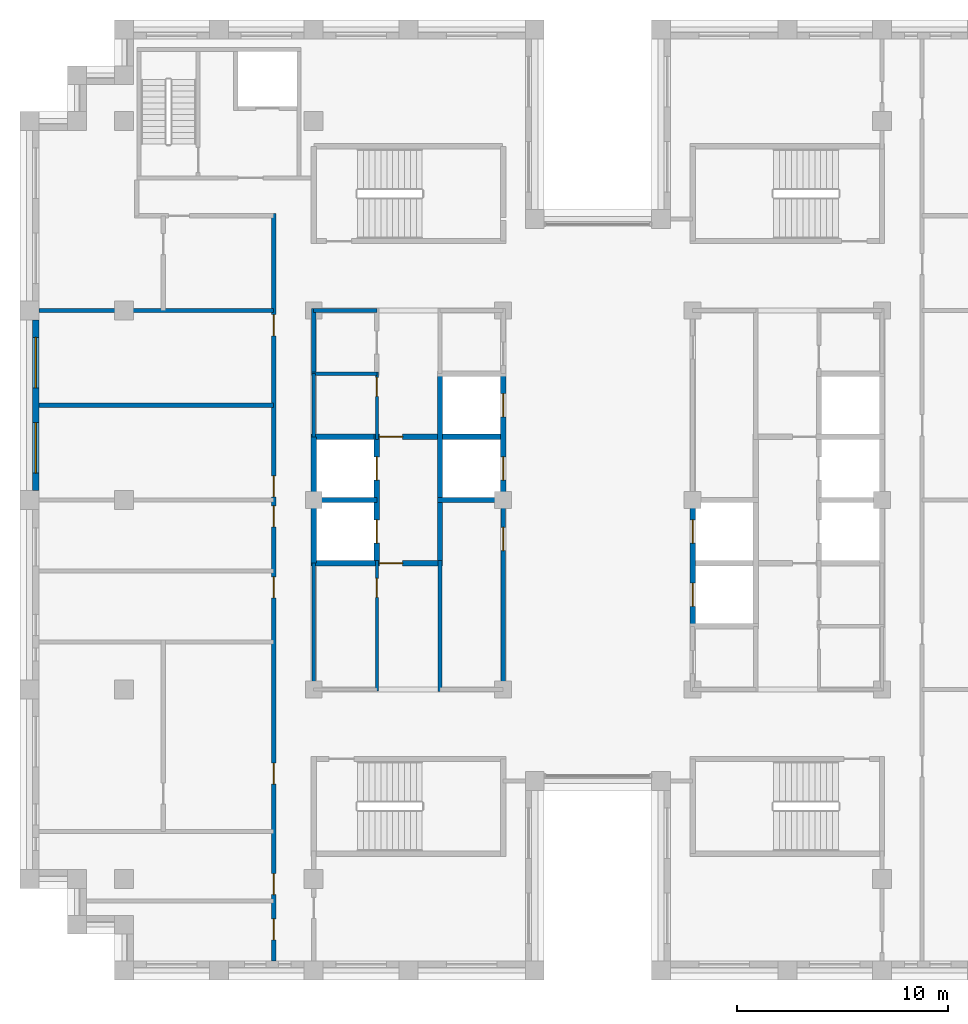
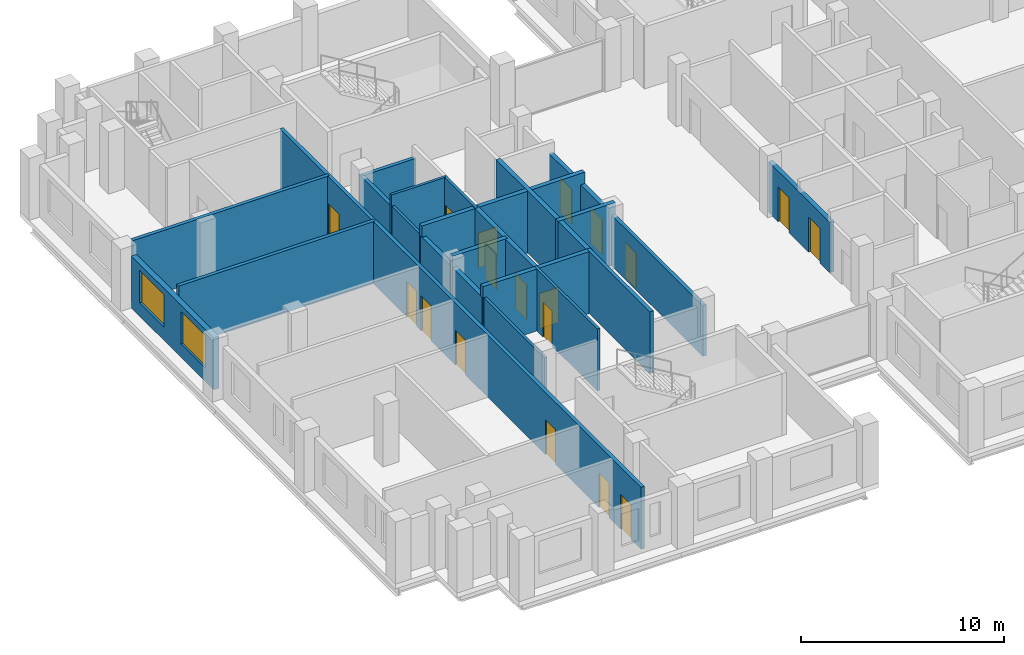
# One storey, part 7 of 13: 22 walls, 18 doors, 2 windows, 20 openings.
"""IFC4 building model written with IfcOpenShell, lengths in metres."""

from ifc_helpers import new_model, si_unit, direction, frame, frame_2d, origin, place, context, subcontext, project, spatial, rectangle, extrude, material, layer, layer_set, type_object, element, fill, save


model = new_model("IFC4")

# Units and contexts
model_context = context("Model", 3, precision=1e-05, world=origin(), true_north=direction((0.0, 1.0)))
body_context = subcontext(model_context, "Body", "Model", "MODEL_VIEW")
ifc_project = project(units=[si_unit("LENGTHUNIT", "METRE"), si_unit("AREAUNIT", "SQUARE_METRE"), si_unit("VOLUMEUNIT", "CUBIC_METRE"), si_unit("PLANEANGLEUNIT", "RADIAN"), si_unit("MASSUNIT", "GRAM", prefix="KILO")], contexts=[model_context])

# Site, building, storey
site_placement = place(None, origin())
site = spatial("IfcSite", under=ifc_project, at=site_placement, CompositionType="ELEMENT")
building_placement = place(site_placement, origin())
building = spatial("IfcBuilding", under=site, at=building_placement, Name="Corbelhall Arena Tower", CompositionType="ELEMENT")
storey_placement = place(building_placement, frame((0.0, 0.0, 278.0)))
storey = spatial("IfcBuildingStorey", under=building, at=storey_placement, Name="L60", CompositionType="ELEMENT", Elevation=278.0)

# Wall, openings, windows
ifc_material_1 = material(Name="Precast concrete C40/50 with granite facing", Category="masonry")
ifc_layer_1 = layer(ifc_material_1, 0.300048828125)
ifc_layer_set_1 = layer_set([ifc_layer_1], Name="EV-IW1 Infill panel 300")
wall_type_1 = type_object("IfcWallType", Name="EV-IW1 Infill panel 300", PredefinedType="SOLIDWALL", material=ifc_layer_set_1)
wall_1_placement = place(storey_placement, frame((-26.699951171875, 8.550048828125, 0.0), z_axis=(0.0, 0.0, 1.0), x_axis=(0.0, -1.0, 0.0)))
wall_1 = element("IfcWall", 1, at=wall_1_placement, inside=storey, type_object=wall_type_1, Name="Infill panel IW1", PredefinedType="SOLIDWALL", context=body_context, shape_type="SweptSolid", body=[
    extrude(rectangle(XDim=8.10009765625, YDim=0.300048828125, at=frame_2d((4.050048828125, 0.0))), origin(), (0.0, 0.0, 1.0), 3.1201171875),
])
opening_1_placement = place(wall_1_placement, frame((0.824951171875, 0.0, 0.800048828125)))
opening_1 = element("IfcOpeningElement", 2, at=opening_1_placement, cuts=wall_1, Name="Opening WN1", PredefinedType="OPENING", context=body_context, shape_type="SweptSolid", body=[
    extrude(rectangle(XDim=2.39990234375, YDim=1.949951171875, at=frame_2d((1.199951171875, 0.97509765625))), frame((0.0, 0.14990234375, 0.0), z_axis=(0.0, -1.0, 0.0), x_axis=(1.0, 0.0, 0.0)), (0.0, 0.0, 1.0), 0.300048828125),
])
opening_2_placement = place(wall_1_placement, frame((4.875, 0.0, 0.800048828125)))
opening_2 = element("IfcOpeningElement", 3, at=opening_2_placement, cuts=wall_1, Name="Opening WN1", PredefinedType="OPENING", context=body_context, shape_type="SweptSolid", body=[
    extrude(rectangle(XDim=2.39990234375, YDim=1.949951171875, at=frame_2d((1.199951171875, 0.97509765625))), frame((0.0, 0.14990234375, 0.0), z_axis=(0.0, -1.0, 0.0), x_axis=(1.0, 0.0, 0.0)), (0.0, 0.0, 1.0), 0.300048828125),
])
ifc_material_2 = material(Name="Aluminium black anodised", Category="aluminium")
window_type = type_object("IfcWindowType", Name="EV-WN1 Office window", PartitioningType="SINGLE_PANEL", PredefinedType="WINDOW", material=ifc_material_2)
window_1_placement = place(opening_1_placement, origin())
window_1 = element("IfcWindow", 4, at=window_1_placement, inside=storey, type_object=window_type, Name="Window WN1", OverallHeight=1.949951171875, OverallWidth=2.39990234375, PartitioningType="SINGLE_PANEL", PredefinedType="WINDOW", context=body_context, shape_type="SweptSolid", body=[
    extrude(rectangle(XDim=2.39990234375, YDim=1.949951171875, at=frame_2d((1.199951171875, 0.97509765625))), frame((0.0, 0.030029296875, 0.0), z_axis=(0.0, -1.0, 0.0), x_axis=(1.0, 0.0, 0.0)), (0.0, 0.0, 1.0), 0.06005859375),
])
fill(opening_1, window_1)
window_2_placement = place(opening_2_placement, origin())
window_2 = element("IfcWindow", 5, at=window_2_placement, inside=storey, type_object=window_type, Name="Window WN1", OverallHeight=1.949951171875, OverallWidth=2.39990234375, PartitioningType="SINGLE_PANEL", PredefinedType="WINDOW", context=body_context, shape_type="SweptSolid", body=[
    extrude(rectangle(XDim=2.39990234375, YDim=1.949951171875, at=frame_2d((1.199951171875, 0.97509765625))), frame((0.0, 0.030029296875, 0.0), z_axis=(0.0, -1.0, 0.0), x_axis=(1.0, 0.0, 0.0)), (0.0, 0.0, 1.0), 0.06005859375),
])
fill(opening_2, window_2)

# Walls
ifc_material_3 = material(Name="Gypsum board on steel stud, acoustic", Category="steel")
ifc_layer_2 = layer(ifc_material_3, 0.199951171875)
ifc_layer_set_2 = layer_set([ifc_layer_2], Name="IN-W-DM200")
wall_type_2 = type_object("IfcWallType", Name="IN-W-DM200", PredefinedType="PARTITIONING", material=ifc_layer_set_2)
for number, where, z_axis, x_axis, name in (
    (6, (-26.550048828125, 4.5, 0.0), (0.0, 0.0, 1.0), (1.0, 0.0, 0.0), "Partition 004"),
    (7, (-26.550048828125, 9.0, 0.0), (0.0, 0.0, 1.0), (1.0, 0.0, 0.0), "Partition 005"),
):
    element("IfcWall", number, at=place(storey_placement, frame(where, z_axis=z_axis, x_axis=x_axis)), inside=storey, type_object=wall_type_2, Name=name, PredefinedType="PARTITIONING", context=body_context, shape_type="SweptSolid", body=[
        extrude(rectangle(XDim=11.150146484375, YDim=0.199951171875, at=frame_2d((5.5751953125, 0.0))), origin(), (0.0, 0.0, 1.0), 3.719970703125),
    ])

# Wall, openings, doors
wall_2_placement = place(storey_placement, frame((-15.39990234375, -21.89990234375, 0.0), z_axis=(0.0, 0.0, 1.0), x_axis=(0.0, 1.0, 0.0)))
wall_2 = element("IfcWall", 8, at=wall_2_placement, inside=storey, type_object=wall_type_2, Name="Partition 011", PredefinedType="PARTITIONING", context=body_context, shape_type="SweptSolid", body=[
    extrude(rectangle(XDim=35.5, YDim=0.199951171875, at=frame_2d((17.75, 0.0))), origin(), (0.0, 0.0, 1.0), 3.719970703125),
])
opening_3_placement = place(wall_2_placement, frame((22.050048828125, 0.0, 0.0)))
opening_3 = element("IfcOpeningElement", 9, at=opening_3_placement, cuts=wall_2, Name="Opening 19022", PredefinedType="OPENING", context=body_context, shape_type="SweptSolid", body=[
    extrude(rectangle(XDim=1.0, YDim=2.10009765625, at=frame_2d((0.5, 1.050048828125))), frame((0.0, 0.10009765625, 0.0), z_axis=(0.0, -1.0, 0.0), x_axis=(1.0, 0.0, 0.0)), (0.0, 0.0, 1.0), 0.199951171875),
])
opening_4_placement = place(wall_2_placement, frame((29.699951171875, 0.0, 0.0)))
opening_4 = element("IfcOpeningElement", 10, at=opening_4_placement, cuts=wall_2, Name="Opening 19023", PredefinedType="OPENING", context=body_context, shape_type="SweptSolid", body=[
    extrude(rectangle(XDim=1.0, YDim=2.10009765625, at=frame_2d((0.5, 1.050048828125))), frame((0.0, 0.10009765625, 0.0), z_axis=(0.0, -1.0, 0.0), x_axis=(1.0, 0.0, 0.0)), (0.0, 0.0, 1.0), 0.199951171875),
])
opening_5_placement = place(wall_2_placement, frame((1.0, 0.0, 0.0)))
opening_5 = element("IfcOpeningElement", 11, at=opening_5_placement, cuts=wall_2, Name="Opening 19026", PredefinedType="OPENING", context=body_context, shape_type="SweptSolid", body=[
    extrude(rectangle(XDim=1.0, YDim=2.10009765625, at=frame_2d((0.5, 1.050048828125))), frame((0.0, 0.10009765625, 0.0), z_axis=(0.0, -1.0, 0.0), x_axis=(1.0, 0.0, 0.0)), (0.0, 0.0, 1.0), 0.199951171875),
])
opening_6_placement = place(wall_2_placement, frame((3.14990234375, 0.0, 0.0)))
opening_6 = element("IfcOpeningElement", 12, at=opening_6_placement, cuts=wall_2, Name="Opening 19027", PredefinedType="OPENING", context=body_context, shape_type="SweptSolid", body=[
    extrude(rectangle(XDim=1.0, YDim=2.10009765625, at=frame_2d((0.5, 1.050048828125))), frame((0.0, 0.10009765625, 0.0), z_axis=(0.0, -1.0, 0.0), x_axis=(1.0, 0.0, 0.0)), (0.0, 0.0, 1.0), 0.199951171875),
])
opening_7_placement = place(wall_2_placement, frame((8.39990234375, 0.0, 0.0)))
opening_7 = element("IfcOpeningElement", 13, at=opening_7_placement, cuts=wall_2, Name="Opening 19028", PredefinedType="OPENING", context=body_context, shape_type="SweptSolid", body=[
    extrude(rectangle(XDim=1.0, YDim=2.10009765625, at=frame_2d((0.5, 1.050048828125))), frame((0.0, 0.10009765625, 0.0), z_axis=(0.0, -1.0, 0.0), x_axis=(1.0, 0.0, 0.0)), (0.0, 0.0, 1.0), 0.199951171875),
])
opening_8_placement = place(wall_2_placement, frame((17.25, 0.0, 0.0)))
opening_8 = element("IfcOpeningElement", 14, at=opening_8_placement, cuts=wall_2, Name="Opening 19030", PredefinedType="OPENING", context=body_context, shape_type="SweptSolid", body=[
    extrude(rectangle(XDim=1.0, YDim=2.10009765625, at=frame_2d((0.5, 1.050048828125))), frame((0.0, 0.10009765625, 0.0), z_axis=(0.0, -1.0, 0.0), x_axis=(1.0, 0.0, 0.0)), (0.0, 0.0, 1.0), 0.199951171875),
])
opening_9_placement = place(wall_2_placement, frame((20.625, 0.0, 0.0)))
opening_9 = element("IfcOpeningElement", 15, at=opening_9_placement, cuts=wall_2, Name="Opening 19031", PredefinedType="OPENING", context=body_context, shape_type="SweptSolid", body=[
    extrude(rectangle(XDim=1.0, YDim=2.10009765625, at=frame_2d((0.5, 1.050048828125))), frame((0.0, 0.10009765625, 0.0), z_axis=(0.0, -1.0, 0.0), x_axis=(1.0, 0.0, 0.0)), (0.0, 0.0, 1.0), 0.199951171875),
])
ifc_material_4 = material(Name="Steel door set", Category="steel")
door_type_1 = type_object("IfcDoorType", Name="IN-D-SW100", OperationType="NOTDEFINED", PredefinedType="DOOR", material=ifc_material_4)
door_1_placement = place(opening_3_placement, origin())
door_1 = element("IfcDoor", 16, at=door_1_placement, inside=storey, type_object=door_type_1, Name="Door 022", OperationType="SINGLE_SWING_LEFT", OverallHeight=2.10009765625, OverallWidth=1.0, PredefinedType="DOOR", context=body_context, shape_type="SweptSolid", body=[
    extrude(rectangle(XDim=1.0, YDim=2.10009765625, at=frame_2d((0.5, 1.050048828125))), frame((0.0, 0.02490234375, 0.0), z_axis=(0.0, -1.0, 0.0), x_axis=(1.0, 0.0, 0.0)), (0.0, 0.0, 1.0), 0.050048828125),
])
fill(opening_3, door_1)
door_2_placement = place(opening_4_placement, origin())
door_2 = element("IfcDoor", 17, at=door_2_placement, inside=storey, type_object=door_type_1, Name="Door 023", OperationType="SINGLE_SWING_RIGHT", OverallHeight=2.10009765625, OverallWidth=1.0, PredefinedType="DOOR", context=body_context, shape_type="SweptSolid", body=[
    extrude(rectangle(XDim=1.0, YDim=2.10009765625, at=frame_2d((0.5, 1.050048828125))), frame((0.0, 0.02490234375, 0.0), z_axis=(0.0, -1.0, 0.0), x_axis=(1.0, 0.0, 0.0)), (0.0, 0.0, 1.0), 0.050048828125),
])
fill(opening_4, door_2)
door_3_placement = place(opening_5_placement, origin())
door_3 = element("IfcDoor", 18, at=door_3_placement, inside=storey, type_object=door_type_1, Name="Door 026", OperationType="SINGLE_SWING_LEFT", OverallHeight=2.10009765625, OverallWidth=1.0, PredefinedType="DOOR", context=body_context, shape_type="SweptSolid", body=[
    extrude(rectangle(XDim=1.0, YDim=2.10009765625, at=frame_2d((0.5, 1.050048828125))), frame((0.0, 0.02490234375, 0.0), z_axis=(0.0, -1.0, 0.0), x_axis=(1.0, 0.0, 0.0)), (0.0, 0.0, 1.0), 0.050048828125),
])
fill(opening_5, door_3)
door_4_placement = place(opening_6_placement, origin())
door_4 = element("IfcDoor", 19, at=door_4_placement, inside=storey, type_object=door_type_1, Name="Door 027", OperationType="SINGLE_SWING_RIGHT", OverallHeight=2.10009765625, OverallWidth=1.0, PredefinedType="DOOR", context=body_context, shape_type="SweptSolid", body=[
    extrude(rectangle(XDim=1.0, YDim=2.10009765625, at=frame_2d((0.5, 1.050048828125))), frame((0.0, 0.02490234375, 0.0), z_axis=(0.0, -1.0, 0.0), x_axis=(1.0, 0.0, 0.0)), (0.0, 0.0, 1.0), 0.050048828125),
])
fill(opening_6, door_4)
door_5_placement = place(opening_7_placement, origin())
door_5 = element("IfcDoor", 20, at=door_5_placement, inside=storey, type_object=door_type_1, Name="Door 028", OperationType="SINGLE_SWING_LEFT", OverallHeight=2.10009765625, OverallWidth=1.0, PredefinedType="DOOR", context=body_context, shape_type="SweptSolid", body=[
    extrude(rectangle(XDim=1.0, YDim=2.10009765625, at=frame_2d((0.5, 1.050048828125))), frame((0.0, 0.02490234375, 0.0), z_axis=(0.0, -1.0, 0.0), x_axis=(1.0, 0.0, 0.0)), (0.0, 0.0, 1.0), 0.050048828125),
])
fill(opening_7, door_5)
door_6_placement = place(opening_8_placement, origin())
door_6 = element("IfcDoor", 21, at=door_6_placement, inside=storey, type_object=door_type_1, Name="Door 030", OperationType="SINGLE_SWING_LEFT", OverallHeight=2.10009765625, OverallWidth=1.0, PredefinedType="DOOR", context=body_context, shape_type="SweptSolid", body=[
    extrude(rectangle(XDim=1.0, YDim=2.10009765625, at=frame_2d((0.5, 1.050048828125))), frame((0.0, 0.02490234375, 0.0), z_axis=(0.0, -1.0, 0.0), x_axis=(1.0, 0.0, 0.0)), (0.0, 0.0, 1.0), 0.050048828125),
])
fill(opening_8, door_6)
door_7_placement = place(opening_9_placement, origin())
door_7 = element("IfcDoor", 22, at=door_7_placement, inside=storey, type_object=door_type_1, Name="Door 031", OperationType="SINGLE_SWING_RIGHT", OverallHeight=2.10009765625, OverallWidth=1.0, PredefinedType="DOOR", context=body_context, shape_type="SweptSolid", body=[
    extrude(rectangle(XDim=1.0, YDim=2.10009765625, at=frame_2d((0.5, 1.050048828125))), frame((0.0, 0.02490234375, 0.0), z_axis=(0.0, -1.0, 0.0), x_axis=(1.0, 0.0, 0.0)), (0.0, 0.0, 1.0), 0.050048828125),
])
fill(opening_9, door_7)

# Walls
ifc_material_5 = material(Name="Concrete block wall", Category="concrete")
ifc_layer_3 = layer(ifc_material_5, 0.199951171875)
ifc_layer_set_3 = layer_set([ifc_layer_3], Name="IN-W-RS200")
wall_type_3 = type_object("IfcWallType", Name="IN-W-RS200", PredefinedType="SOLIDWALL", material=ifc_layer_set_3)
wall_3_placement = place(storey_placement, frame((-7.5, -9.10009765625, 0.0), z_axis=(0.0, 0.0, 1.0), x_axis=(0.0, 1.0, 0.0)))
element("IfcWall", 23, at=wall_3_placement, inside=storey, type_object=wall_type_3, Name="Partition 029", PredefinedType="SOLIDWALL", context=body_context, shape_type="SweptSolid", body=[
    extrude(rectangle(XDim=6.22509765625, YDim=0.199951171875, at=frame_2d((3.112548828125, 0.0))), origin(), (0.0, 0.0, 1.0), 3.719970703125),
])
ifc_layer_4 = layer(ifc_material_5, 0.199951171875)
ifc_layer_set_4 = layer_set([ifc_layer_4], Name="IN-W-RS200 under beam 678 mm")
wall_type_4 = type_object("IfcWallType", Name="IN-W-RS200 under beam 678 mm", PredefinedType="SOLIDWALL", material=ifc_layer_set_4)
wall_4_placement = place(storey_placement, frame((-13.5, 6.0, 0.0), z_axis=(0.0, 0.0, 1.0), x_axis=(0.0, 1.0, 0.0)))
element("IfcWall", 24, at=wall_4_placement, inside=storey, type_object=wall_type_4, Name="Partition 026", PredefinedType="SOLIDWALL", context=body_context, shape_type="SweptSolid", body=[
    extrude(rectangle(XDim=3.10009765625, YDim=0.199951171875, at=frame_2d((1.550048828125, 0.0))), origin(), (0.0, 0.0, 1.0), 3.041748046875),
])
wall_5_placement = place(storey_placement, frame((-13.5, 9.0, 0.0), z_axis=(0.0, 0.0, 1.0), x_axis=(1.0, 0.0, 0.0)))
element("IfcWall", 25, at=wall_5_placement, inside=storey, type_object=wall_type_4, Name="Partition 027", PredefinedType="SOLIDWALL", context=body_context, shape_type="SweptSolid", body=[
    extrude(rectangle(XDim=3.0, YDim=0.199951171875, at=frame_2d((1.5, 0.0))), origin(), (0.0, 0.0, 1.0), 3.041748046875),
])

# Wall, opening, door
wall_6_placement = place(storey_placement, frame((-4.5, 0.0, 0.0), z_axis=(0.0, 0.0, 1.0), x_axis=(0.0, -1.0, 0.0)))
wall_6 = element("IfcWall", 26, at=wall_6_placement, inside=storey, type_object=wall_type_4, Name="Partition 033", PredefinedType="SOLIDWALL", context=body_context, shape_type="SweptSolid", body=[
    extrude(rectangle(XDim=9.10009765625, YDim=0.199951171875, at=frame_2d((4.550048828125, 0.0))), origin(), (0.0, 0.0, 1.0), 3.041748046875),
])
opening_10_placement = place(wall_6_placement, frame((1.300048828125, 0.0, 0.0)))
opening_10 = element("IfcOpeningElement", 27, at=opening_10_placement, cuts=wall_6, Name="Opening 19001", PredefinedType="OPENING", context=body_context, shape_type="SweptSolid", body=[
    extrude(rectangle(XDim=1.10009765625, YDim=2.10009765625, at=frame_2d((0.550048828125, 1.050048828125))), frame((0.0, 0.10009765625, 0.0), z_axis=(0.0, -1.0, 0.0), x_axis=(1.0, 0.0, 0.0)), (0.0, 0.0, 1.0), 0.199951171875),
])
door_type_2 = type_object("IfcDoorType", Name="IN-D-FD110", OperationType="NOTDEFINED", PredefinedType="DOOR", material=ifc_material_4)
door_8_placement = place(opening_10_placement, origin())
door_8 = element("IfcDoor", 28, at=door_8_placement, inside=storey, type_object=door_type_2, Name="Door 001", OperationType="SINGLE_SWING_RIGHT", OverallHeight=2.10009765625, OverallWidth=1.10009765625, PredefinedType="DOOR", context=body_context, shape_type="SweptSolid", body=[
    extrude(rectangle(XDim=1.10009765625, YDim=2.10009765625, at=frame_2d((0.550048828125, 1.050048828125))), frame((0.0, 0.02490234375, 0.0), z_axis=(0.0, -1.0, 0.0), x_axis=(1.0, 0.0, 0.0)), (0.0, 0.0, 1.0), 0.050048828125),
])
fill(opening_10, door_8)

# Wall
ifc_material_6 = material(Name="Concrete C40/50", Category="concrete")
ifc_layer_5 = layer(ifc_material_6, 0.25)
ifc_layer_set_5 = layer_set([ifc_layer_5], Name="IN-W-SH250")
wall_type_5 = type_object("IfcWallType", Name="IN-W-SH250", PredefinedType="SOLIDWALL", material=ifc_layer_set_5)
wall_7_placement = place(storey_placement, frame((-13.625, 0.0, 0.0), z_axis=(0.0, 0.0, 1.0), x_axis=(1.0, 0.0, 0.0)))
element("IfcWall", 29, at=wall_7_placement, inside=storey, type_object=wall_type_5, Name="Shaft wall 046", PredefinedType="SOLIDWALL", context=body_context, shape_type="SweptSolid", body=[
    extrude(rectangle(XDim=3.125, YDim=0.25, at=frame_2d((1.5625, 0.0))), origin(), (0.0, 0.0, 1.0), 3.719970703125),
])

# Wall, opening, door
wall_8_placement = place(storey_placement, frame((-13.625, 3.0, 0.0), z_axis=(0.0, 0.0, 1.0), x_axis=(1.0, 0.0, 0.0)))
wall_8 = element("IfcWall", 30, at=wall_8_placement, inside=storey, type_object=wall_type_5, Name="Shaft wall 047", PredefinedType="SOLIDWALL", context=body_context, shape_type="SweptSolid", body=[
    extrude(rectangle(XDim=9.25, YDim=0.25, at=frame_2d((4.625, 0.0))), origin(), (0.0, 0.0, 1.0), 3.719970703125),
])
opening_11_placement = place(wall_8_placement, frame((3.25, 0.0, 0.0)))
opening_11 = element("IfcOpeningElement", 31, at=opening_11_placement, cuts=wall_8, Name="Opening 19004", PredefinedType="OPENING", context=body_context, shape_type="SweptSolid", body=[
    extrude(rectangle(XDim=1.10009765625, YDim=2.10009765625, at=frame_2d((0.550048828125, 1.050048828125))), frame((0.0, 0.125, 0.0), z_axis=(0.0, -1.0, 0.0), x_axis=(1.0, 0.0, 0.0)), (0.0, 0.0, 1.0), 0.25),
])
door_9_placement = place(opening_11_placement, origin())
door_9 = element("IfcDoor", 32, at=door_9_placement, inside=storey, type_object=door_type_2, Name="Door 004", OperationType="SINGLE_SWING_LEFT", OverallHeight=2.10009765625, OverallWidth=1.10009765625, PredefinedType="DOOR", context=body_context, shape_type="SweptSolid", body=[
    extrude(rectangle(XDim=1.10009765625, YDim=2.10009765625, at=frame_2d((0.550048828125, 1.050048828125))), frame((0.0, 0.02490234375, 0.0), z_axis=(0.0, -1.0, 0.0), x_axis=(1.0, 0.0, 0.0)), (0.0, 0.0, 1.0), 0.050048828125),
])
fill(opening_11, door_9)

wall_9_placement = place(storey_placement, frame((-13.625, -3.0, 0.0), z_axis=(0.0, 0.0, 1.0), x_axis=(1.0, 0.0, 0.0)))
wall_9 = element("IfcWall", 33, at=wall_9_placement, inside=storey, type_object=wall_type_5, Name="Shaft wall 049", PredefinedType="SOLIDWALL", context=body_context, shape_type="SweptSolid", body=[
    extrude(rectangle(XDim=6.125, YDim=0.25, at=frame_2d((3.0625, 0.0))), origin(), (0.0, 0.0, 1.0), 3.719970703125),
])
opening_12_placement = place(wall_9_placement, frame((3.25, 0.0, 0.0)))
opening_12 = element("IfcOpeningElement", 34, at=opening_12_placement, cuts=wall_9, Name="Opening 19003", PredefinedType="OPENING", context=body_context, shape_type="SweptSolid", body=[
    extrude(rectangle(XDim=1.10009765625, YDim=2.10009765625, at=frame_2d((0.550048828125, 1.050048828125))), frame((0.0, 0.125, 0.0), z_axis=(0.0, -1.0, 0.0), x_axis=(1.0, 0.0, 0.0)), (0.0, 0.0, 1.0), 0.25),
])
door_10_placement = place(opening_12_placement, origin())
door_10 = element("IfcDoor", 35, at=door_10_placement, inside=storey, type_object=door_type_2, Name="Door 003", OperationType="SINGLE_SWING_RIGHT", OverallHeight=2.10009765625, OverallWidth=1.10009765625, PredefinedType="DOOR", context=body_context, shape_type="SweptSolid", body=[
    extrude(rectangle(XDim=1.10009765625, YDim=2.10009765625, at=frame_2d((0.550048828125, 1.050048828125))), frame((0.0, 0.02490234375, 0.0), z_axis=(0.0, -1.0, 0.0), x_axis=(1.0, 0.0, 0.0)), (0.0, 0.0, 1.0), 0.050048828125),
])
fill(opening_12, door_10)

# Wall, openings, doors
wall_10_placement = place(storey_placement, frame((-10.5, -3.125, 0.0), z_axis=(0.0, 0.0, 1.0), x_axis=(0.0, 1.0, 0.0)))
wall_10 = element("IfcWall", 36, at=wall_10_placement, inside=storey, type_object=wall_type_5, Name="Shaft wall 050", PredefinedType="SOLIDWALL", context=body_context, shape_type="SweptSolid", body=[
    extrude(rectangle(XDim=6.25, YDim=0.25, at=frame_2d((3.125, 0.0))), origin(), (0.0, 0.0, 1.0), 3.719970703125),
])
opening_13_placement = place(wall_10_placement, frame((1.074951171875, 0.0, 0.0)))
opening_13 = element("IfcOpeningElement", 37, at=opening_13_placement, cuts=wall_10, Name="Opening LD", PredefinedType="OPENING", context=body_context, shape_type="SweptSolid", body=[
    extrude(rectangle(XDim=1.10009765625, YDim=2.10009765625, at=frame_2d((0.550048828125, 1.050048828125))), frame((0.0, 0.125, 0.0), z_axis=(0.0, -1.0, 0.0), x_axis=(1.0, 0.0, 0.0)), (0.0, 0.0, 1.0), 0.25),
])
opening_14_placement = place(wall_10_placement, frame((4.074951171875, 0.0, 0.0)))
opening_14 = element("IfcOpeningElement", 38, at=opening_14_placement, cuts=wall_10, Name="Opening LD", PredefinedType="OPENING", context=body_context, shape_type="SweptSolid", body=[
    extrude(rectangle(XDim=1.10009765625, YDim=2.10009765625, at=frame_2d((0.550048828125, 1.050048828125))), frame((0.0, 0.125, 0.0), z_axis=(0.0, -1.0, 0.0), x_axis=(1.0, 0.0, 0.0)), (0.0, 0.0, 1.0), 0.25),
])
door_type_3 = type_object("IfcDoorType", Name="IN-D-LD110", OperationType="NOTDEFINED", PredefinedType="DOOR", material=ifc_material_4)
door_11_placement = place(opening_13_placement, origin())
door_11 = element("IfcDoor", 39, at=door_11_placement, inside=storey, type_object=door_type_3, Name="Landing door W3", OperationType="SLIDING_TO_LEFT", OverallHeight=2.10009765625, OverallWidth=1.10009765625, PredefinedType="DOOR", context=body_context, shape_type="SweptSolid", body=[
    extrude(rectangle(XDim=1.10009765625, YDim=2.10009765625, at=frame_2d((0.550048828125, 1.050048828125))), frame((0.0, 0.02490234375, 0.0), z_axis=(0.0, -1.0, 0.0), x_axis=(1.0, 0.0, 0.0)), (0.0, 0.0, 1.0), 0.050048828125),
])
fill(opening_13, door_11)
door_12_placement = place(opening_14_placement, origin())
door_12 = element("IfcDoor", 40, at=door_12_placement, inside=storey, type_object=door_type_3, Name="Landing door W4", OperationType="SLIDING_TO_LEFT", OverallHeight=2.10009765625, OverallWidth=1.10009765625, PredefinedType="DOOR", context=body_context, shape_type="SweptSolid", body=[
    extrude(rectangle(XDim=1.10009765625, YDim=2.10009765625, at=frame_2d((0.550048828125, 1.050048828125))), frame((0.0, 0.02490234375, 0.0), z_axis=(0.0, -1.0, 0.0), x_axis=(1.0, 0.0, 0.0)), (0.0, 0.0, 1.0), 0.050048828125),
])
fill(opening_14, door_12)

# Walls
wall_11_placement = place(storey_placement, frame((-7.625, 0.0, 0.0), z_axis=(0.0, 0.0, 1.0), x_axis=(1.0, 0.0, 0.0)))
element("IfcWall", 41, at=wall_11_placement, inside=storey, type_object=wall_type_5, Name="Shaft wall 051", PredefinedType="SOLIDWALL", context=body_context, shape_type="SweptSolid", body=[
    extrude(rectangle(XDim=3.25, YDim=0.25, at=frame_2d((1.625, 0.0))), origin(), (0.0, 0.0, 1.0), 3.719970703125),
])
wall_12_placement = place(storey_placement, frame((-7.5, -3.125, 0.0), z_axis=(0.0, 0.0, 1.0), x_axis=(0.0, 1.0, 0.0)))
element("IfcWall", 42, at=wall_12_placement, inside=storey, type_object=wall_type_5, Name="Shaft wall 053", PredefinedType="SOLIDWALL", context=body_context, shape_type="SweptSolid", body=[
    extrude(rectangle(XDim=9.125, YDim=0.25, at=frame_2d((4.5625, 0.0))), origin(), (0.0, 0.0, 1.0), 3.719970703125),
])
ifc_layer_6 = layer(ifc_material_6, 0.25)
ifc_layer_set_6 = layer_set([ifc_layer_6], Name="IN-W-SH250 under beam 678 mm")
wall_type_6 = type_object("IfcWallType", Name="IN-W-SH250 under beam 678 mm", PredefinedType="SOLIDWALL", material=ifc_layer_set_6)
wall_13_placement = place(storey_placement, frame((-13.5, -3.0, 0.0), z_axis=(0.0, 0.0, 1.0), x_axis=(0.0, 1.0, 0.0)))
element("IfcWall", 43, at=wall_13_placement, inside=storey, type_object=wall_type_6, Name="Shaft wall 048", PredefinedType="SOLIDWALL", context=body_context, shape_type="SweptSolid", body=[
    extrude(rectangle(XDim=6.0, YDim=0.25, at=frame_2d((3.0, 0.0))), origin(), (0.0, 0.0, 1.0), 3.041748046875),
])

# Wall, openings, doors
wall_14_placement = place(storey_placement, frame((-4.5, 6.0, 0.0), z_axis=(0.0, 0.0, 1.0), x_axis=(0.0, -1.0, 0.0)))
wall_14 = element("IfcWall", 44, at=wall_14_placement, inside=storey, type_object=wall_type_6, Name="Shaft wall 054", PredefinedType="SOLIDWALL", context=body_context, shape_type="SweptSolid", body=[
    extrude(rectangle(XDim=6.0, YDim=0.25, at=frame_2d((3.0, 0.0))), origin(), (0.0, 0.0, 1.0), 3.041748046875),
])
opening_15_placement = place(wall_14_placement, frame((3.949951171875, 0.0, 0.0)))
opening_15 = element("IfcOpeningElement", 45, at=opening_15_placement, cuts=wall_14, Name="Opening LD", PredefinedType="OPENING", context=body_context, shape_type="SweptSolid", body=[
    extrude(rectangle(XDim=1.10009765625, YDim=2.10009765625, at=frame_2d((0.550048828125, 1.050048828125))), frame((0.0, 0.125, 0.0), z_axis=(0.0, -1.0, 0.0), x_axis=(1.0, 0.0, 0.0)), (0.0, 0.0, 1.0), 0.25),
])
opening_16_placement = place(wall_14_placement, frame((0.949951171875, 0.0, 0.0)))
opening_16 = element("IfcOpeningElement", 46, at=opening_16_placement, cuts=wall_14, Name="Opening LD", PredefinedType="OPENING", context=body_context, shape_type="SweptSolid", body=[
    extrude(rectangle(XDim=1.10009765625, YDim=2.10009765625, at=frame_2d((0.550048828125, 1.050048828125))), frame((0.0, 0.125, 0.0), z_axis=(0.0, -1.0, 0.0), x_axis=(1.0, 0.0, 0.0)), (0.0, 0.0, 1.0), 0.25),
])
door_13_placement = place(opening_15_placement, origin())
door_13 = element("IfcDoor", 47, at=door_13_placement, inside=storey, type_object=door_type_3, Name="Landing door W4", OperationType="SLIDING_TO_LEFT", OverallHeight=2.10009765625, OverallWidth=1.10009765625, PredefinedType="DOOR", context=body_context, shape_type="SweptSolid", body=[
    extrude(rectangle(XDim=1.10009765625, YDim=2.10009765625, at=frame_2d((0.550048828125, 1.050048828125))), frame((0.0, 0.02490234375, 0.0), z_axis=(0.0, -1.0, 0.0), x_axis=(1.0, 0.0, 0.0)), (0.0, 0.0, 1.0), 0.050048828125),
])
fill(opening_15, door_13)
door_14_placement = place(opening_16_placement, origin())
door_14 = element("IfcDoor", 48, at=door_14_placement, inside=storey, type_object=door_type_3, Name="Landing door W5", OperationType="SLIDING_TO_LEFT", OverallHeight=2.10009765625, OverallWidth=1.10009765625, PredefinedType="DOOR", context=body_context, shape_type="SweptSolid", body=[
    extrude(rectangle(XDim=1.10009765625, YDim=2.10009765625, at=frame_2d((0.550048828125, 1.050048828125))), frame((0.0, 0.02490234375, 0.0), z_axis=(0.0, -1.0, 0.0), x_axis=(1.0, 0.0, 0.0)), (0.0, 0.0, 1.0), 0.050048828125),
])
fill(opening_16, door_14)

wall_15_placement = place(storey_placement, frame((4.5, -6.0, 0.0), z_axis=(0.0, 0.0, 1.0), x_axis=(0.0, 1.0, 0.0)))
wall_15 = element("IfcWall", 49, at=wall_15_placement, inside=storey, type_object=wall_type_6, Name="Shaft wall 058", PredefinedType="SOLIDWALL", context=body_context, shape_type="SweptSolid", body=[
    extrude(rectangle(XDim=6.0, YDim=0.25, at=frame_2d((3.0, 0.0))), origin(), (0.0, 0.0, 1.0), 3.041748046875),
])
opening_17_placement = place(wall_15_placement, frame((0.949951171875, 0.0, 0.0)))
opening_17 = element("IfcOpeningElement", 50, at=opening_17_placement, cuts=wall_15, Name="Opening LD", PredefinedType="OPENING", context=body_context, shape_type="SweptSolid", body=[
    extrude(rectangle(XDim=1.10009765625, YDim=2.10009765625, at=frame_2d((0.550048828125, 1.050048828125))), frame((0.0, 0.125, 0.0), z_axis=(0.0, -1.0, 0.0), x_axis=(1.0, 0.0, 0.0)), (0.0, 0.0, 1.0), 0.25),
])
opening_18_placement = place(wall_15_placement, frame((3.949951171875, 0.0, 0.0)))
opening_18 = element("IfcOpeningElement", 51, at=opening_18_placement, cuts=wall_15, Name="Opening LD", PredefinedType="OPENING", context=body_context, shape_type="SweptSolid", body=[
    extrude(rectangle(XDim=1.10009765625, YDim=2.10009765625, at=frame_2d((0.550048828125, 1.050048828125))), frame((0.0, 0.125, 0.0), z_axis=(0.0, -1.0, 0.0), x_axis=(1.0, 0.0, 0.0)), (0.0, 0.0, 1.0), 0.25),
])
door_15_placement = place(opening_17_placement, origin())
door_15 = element("IfcDoor", 52, at=door_15_placement, inside=storey, type_object=door_type_3, Name="Landing door E2", OperationType="SLIDING_TO_LEFT", OverallHeight=2.10009765625, OverallWidth=1.10009765625, PredefinedType="DOOR", context=body_context, shape_type="SweptSolid", body=[
    extrude(rectangle(XDim=1.10009765625, YDim=2.10009765625, at=frame_2d((0.550048828125, 1.050048828125))), frame((0.0, 0.02490234375, 0.0), z_axis=(0.0, -1.0, 0.0), x_axis=(1.0, 0.0, 0.0)), (0.0, 0.0, 1.0), 0.050048828125),
])
fill(opening_17, door_15)
door_16_placement = place(opening_18_placement, origin())
door_16 = element("IfcDoor", 53, at=door_16_placement, inside=storey, type_object=door_type_3, Name="Landing door E3", OperationType="SLIDING_TO_LEFT", OverallHeight=2.10009765625, OverallWidth=1.10009765625, PredefinedType="DOOR", context=body_context, shape_type="SweptSolid", body=[
    extrude(rectangle(XDim=1.10009765625, YDim=2.10009765625, at=frame_2d((0.550048828125, 1.050048828125))), frame((0.0, 0.02490234375, 0.0), z_axis=(0.0, -1.0, 0.0), x_axis=(1.0, 0.0, 0.0)), (0.0, 0.0, 1.0), 0.050048828125),
])
fill(opening_18, door_16)

# Wall
ifc_material_7 = material(Name="Gypsum board on steel stud, moisture resistant", Category="steel")
ifc_layer_7 = layer(ifc_material_7, 0.14990234375)
ifc_layer_set_7 = layer_set([ifc_layer_7], Name="IN-W-WC150")
wall_type_7 = type_object("IfcWallType", Name="IN-W-WC150", PredefinedType="PARTITIONING", material=ifc_layer_set_7)
wall_16_placement = place(storey_placement, frame((-13.60009765625, 6.0, 0.0), z_axis=(0.0, 0.0, 1.0), x_axis=(1.0, 0.0, 0.0)))
element("IfcWall", 54, at=wall_16_placement, inside=storey, type_object=wall_type_7, Name="Partition 082", PredefinedType="PARTITIONING", context=body_context, shape_type="SweptSolid", body=[
    extrude(rectangle(XDim=3.10009765625, YDim=0.14990234375, at=frame_2d((1.550048828125, 0.0))), origin(), (0.0, 0.0, 1.0), 3.719970703125),
])

# Wall, opening, door
wall_17_placement = place(storey_placement, frame((-10.5, -9.074951171875, 0.0), z_axis=(0.0, 0.0, 1.0), x_axis=(0.0, 1.0, 0.0)))
wall_17 = element("IfcWall", 55, at=wall_17_placement, inside=storey, type_object=wall_type_7, Name="Partition 085", PredefinedType="PARTITIONING", context=body_context, shape_type="SweptSolid", body=[
    extrude(rectangle(XDim=6.199951171875, YDim=0.14990234375, at=frame_2d((3.10009765625, 0.0))), origin(), (0.0, 0.0, 1.0), 3.719970703125),
])
opening_19_placement = place(wall_17_placement, frame((4.449951171875, 0.0, 0.0)))
opening_19 = element("IfcOpeningElement", 56, at=opening_19_placement, cuts=wall_17, Name="Opening 19005", PredefinedType="OPENING", context=body_context, shape_type="SweptSolid", body=[
    extrude(rectangle(XDim=0.89990234375, YDim=2.10009765625, at=frame_2d((0.449951171875, 1.050048828125))), frame((0.0, 0.074951171875, 0.0), z_axis=(0.0, -1.0, 0.0), x_axis=(1.0, 0.0, 0.0)), (0.0, 0.0, 1.0), 0.14990234375),
])
ifc_material_8 = material(Name="Timber door set", Category="wood")
door_type_4 = type_object("IfcDoorType", Name="IN-D-SW90", OperationType="NOTDEFINED", PredefinedType="DOOR", material=ifc_material_8)
door_17_placement = place(opening_19_placement, origin())
door_17 = element("IfcDoor", 57, at=door_17_placement, inside=storey, type_object=door_type_4, Name="Door 005", OperationType="SINGLE_SWING_RIGHT", OverallHeight=2.10009765625, OverallWidth=0.89990234375, PredefinedType="DOOR", context=body_context, shape_type="SweptSolid", body=[
    extrude(rectangle(XDim=0.89990234375, YDim=2.10009765625, at=frame_2d((0.449951171875, 1.050048828125))), frame((0.0, 0.02490234375, 0.0), z_axis=(0.0, -1.0, 0.0), x_axis=(1.0, 0.0, 0.0)), (0.0, 0.0, 1.0), 0.050048828125),
])
fill(opening_19, door_17)

wall_18_placement = place(storey_placement, frame((-10.5, 2.875, 0.0), z_axis=(0.0, 0.0, 1.0), x_axis=(0.0, 1.0, 0.0)))
wall_18 = element("IfcWall", 58, at=wall_18_placement, inside=storey, type_object=wall_type_7, Name="Partition 087", PredefinedType="PARTITIONING", context=body_context, shape_type="SweptSolid", body=[
    extrude(rectangle(XDim=3.199951171875, YDim=0.14990234375, at=frame_2d((1.60009765625, 0.0))), origin(), (0.0, 0.0, 1.0), 3.719970703125),
])
opening_20_placement = place(wall_18_placement, frame((2.050048828125, 0.0, 0.0)))
opening_20 = element("IfcOpeningElement", 59, at=opening_20_placement, cuts=wall_18, Name="Opening 19006", PredefinedType="OPENING", context=body_context, shape_type="SweptSolid", body=[
    extrude(rectangle(XDim=0.89990234375, YDim=2.10009765625, at=frame_2d((0.449951171875, 1.050048828125))), frame((0.0, 0.074951171875, 0.0), z_axis=(0.0, -1.0, 0.0), x_axis=(1.0, 0.0, 0.0)), (0.0, 0.0, 1.0), 0.14990234375),
])
door_18_placement = place(opening_20_placement, origin())
door_18 = element("IfcDoor", 60, at=door_18_placement, inside=storey, type_object=door_type_4, Name="Door 006", OperationType="SINGLE_SWING_LEFT", OverallHeight=2.10009765625, OverallWidth=0.89990234375, PredefinedType="DOOR", context=body_context, shape_type="SweptSolid", body=[
    extrude(rectangle(XDim=0.89990234375, YDim=2.10009765625, at=frame_2d((0.449951171875, 1.050048828125))), frame((0.0, 0.02490234375, 0.0), z_axis=(0.0, -1.0, 0.0), x_axis=(1.0, 0.0, 0.0)), (0.0, 0.0, 1.0), 0.050048828125),
])
fill(opening_20, door_18)

# Walls
ifc_layer_8 = layer(ifc_material_7, 0.14990234375)
ifc_layer_set_8 = layer_set([ifc_layer_8], Name="IN-W-WC150 under beam 678 mm")
wall_type_8 = type_object("IfcWallType", Name="IN-W-WC150 under beam 678 mm", PredefinedType="PARTITIONING", material=ifc_layer_set_8)
wall_19_placement = place(storey_placement, frame((-13.5, -9.074951171875, 0.0), z_axis=(0.0, 0.0, 1.0), x_axis=(0.0, 1.0, 0.0)))
element("IfcWall", 61, at=wall_19_placement, inside=storey, type_object=wall_type_8, Name="Partition 083", PredefinedType="PARTITIONING", context=body_context, shape_type="SweptSolid", body=[
    extrude(rectangle(XDim=6.074951171875, YDim=0.14990234375, at=frame_2d((3.03759765625, 0.0))), origin(), (0.0, 0.0, 1.0), 3.041748046875),
])
wall_20_placement = place(storey_placement, frame((-13.5, 3.0, 0.0), z_axis=(0.0, 0.0, 1.0), x_axis=(0.0, 1.0, 0.0)))
element("IfcWall", 62, at=wall_20_placement, inside=storey, type_object=wall_type_8, Name="Partition 084", PredefinedType="PARTITIONING", context=body_context, shape_type="SweptSolid", body=[
    extrude(rectangle(XDim=3.0, YDim=0.14990234375, at=frame_2d((1.5, 0.0))), origin(), (0.0, 0.0, 1.0), 3.041748046875),
])

save(model, "model.ifc")
